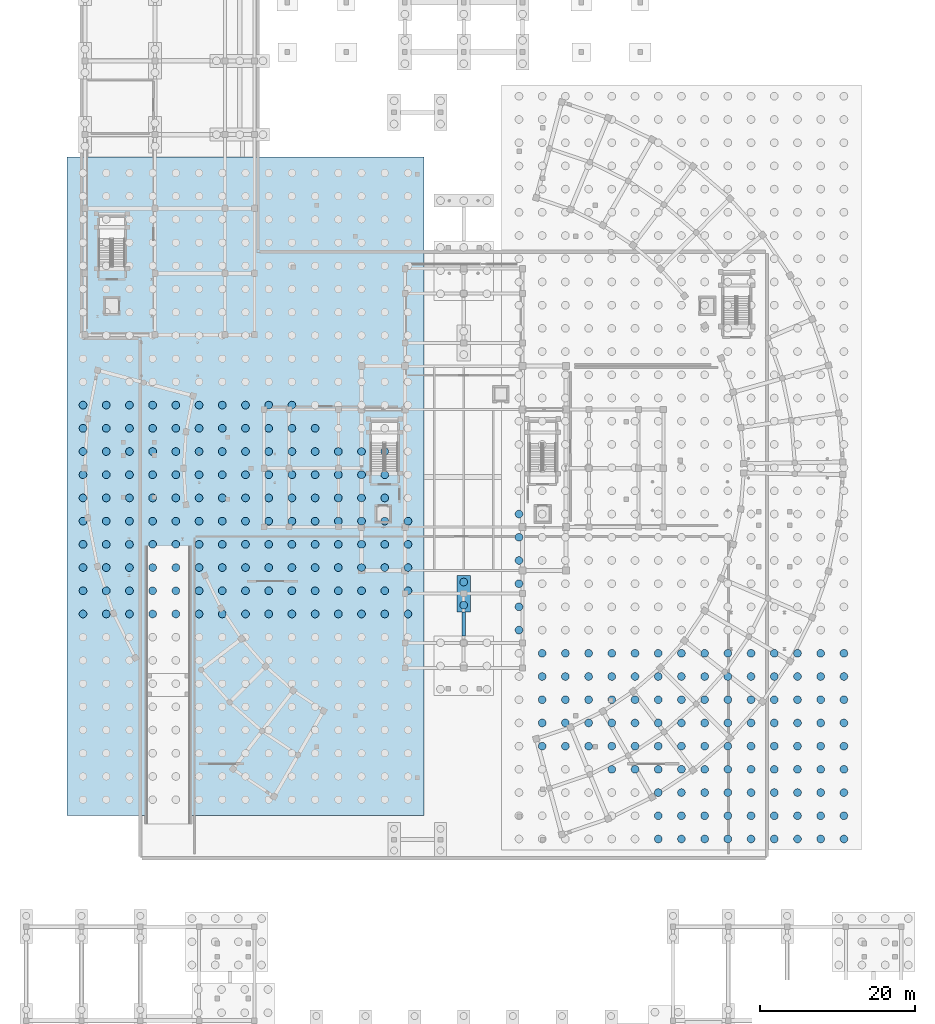
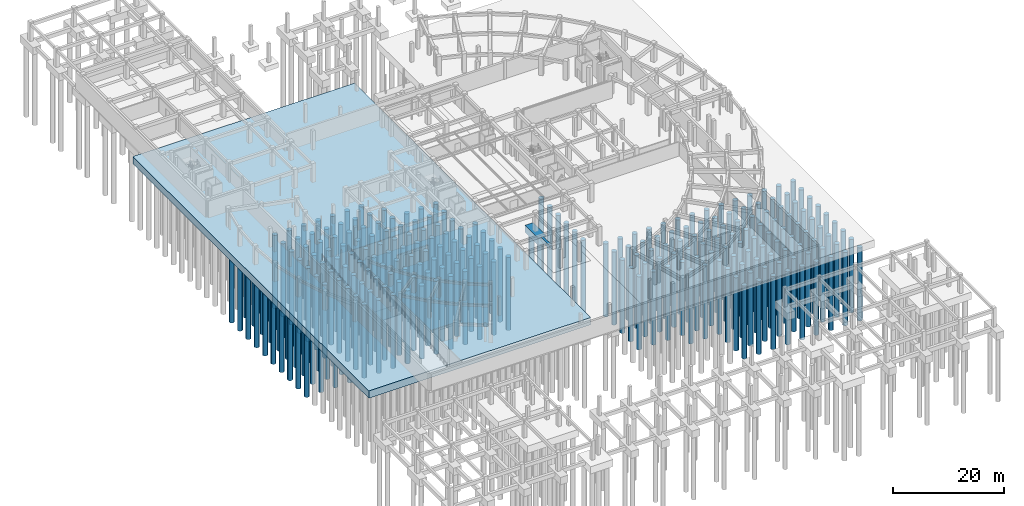
# One storey, part 3 of 33: 254 piles, 3 footings.
"""IFC4 building model written with IfcOpenShell, lengths in metres."""

from ifc_helpers import new_model, si_unit, direction, frame, origin, origin_2d, place, context, subcontext, project, spatial, rectangle, circle, extrude, material, material_profile, profile_set, type_object, element, save


model = new_model("IFC4")

# Units and contexts
model_context = context("Model", 3, precision=1e-05, world=origin(), true_north=direction((0.0, 1.0)))
body_context = subcontext(model_context, "Body", "Model", "MODEL_VIEW")
ifc_project = project(units=[si_unit("LENGTHUNIT", "METRE"), si_unit("AREAUNIT", "SQUARE_METRE"), si_unit("VOLUMEUNIT", "CUBIC_METRE"), si_unit("PLANEANGLEUNIT", "RADIAN"), si_unit("MASSUNIT", "GRAM", prefix="KILO")], contexts=[model_context])

# Site, building, storey
site_placement = place(None, origin())
site = spatial("IfcSite", under=ifc_project, at=site_placement, CompositionType="ELEMENT")
building_placement = place(site_placement, origin())
building = spatial("IfcBuilding", under=site, at=building_placement, Name="Saryqyr Civic Hall", CompositionType="ELEMENT")
storey_placement = place(building_placement, frame((0.0, 0.0, -4.199951171875)))
storey = spatial("IfcBuildingStorey", under=building, at=storey_placement, Name="B1", CompositionType="ELEMENT", Elevation=-4.199951171875)

# Footings
ifc_material = material(Name="Concrete C35/45", Category="concrete")
footing_type_1 = type_object("IfcFootingType", Name="STR-FB-500x800", PredefinedType="FOOTING_BEAM", material=ifc_material)
footing_1_placement = place(storey_placement, frame((57.0, 63.875, -0.80029296875), z_axis=(0.0, 0.0, 1.0), x_axis=(1.0, 0.0, 0.0)))
element("IfcFooting", 1, at=footing_1_placement, inside=storey, type_object=footing_type_1, Name="Ground tie beam FND-FB-057", PredefinedType="FOOTING_BEAM", context=body_context, shape_type="SweptSolid", body=[
    extrude(rectangle(XDim=0.5, YDim=3.14990234375, at=origin_2d()), origin(), (0.0, 0.0, 1.0), 0.800048828125),
])
footing_type_2 = type_object("IfcFootingType", Name="STR-PCAP-1700x4700x1600", PredefinedType="PILE_CAP", material=ifc_material)
footing_2_placement = place(storey_placement, frame((57.0, 67.800048828125, -1.60009765625), z_axis=(0.0, 0.0, 1.0), x_axis=(1.0, 0.0, 0.0)))
element("IfcFooting", 2, at=footing_2_placement, inside=storey, type_object=footing_type_2, Name="Reinforced concrete pile cap FND-PCAP-046", PredefinedType="PILE_CAP", context=body_context, shape_type="SweptSolid", body=[
    extrude(rectangle(XDim=1.699951171875, YDim=4.699951171875, at=origin_2d()), origin(), (0.0, 0.0, 1.0), 1.60009765625),
])
footing_type_3 = type_object("IfcFootingType", Name="STR-PCAP-46200x85100x1600", PredefinedType="PILE_CAP", material=ifc_material)
footing_3_placement = place(storey_placement, frame((28.7939453125, 81.6669921875, -1.60009765625), z_axis=(0.0, 0.0, 1.0), x_axis=(1.0, 0.0, 0.0)))
element("IfcFooting", 3, at=footing_3_placement, inside=storey, type_object=footing_type_3, Name="Reinforced concrete pile cap FND-PCAP-044", PredefinedType="PILE_CAP", context=body_context, shape_type="SweptSolid", body=[
    extrude(rectangle(XDim=46.199951171875, YDim=85.10009765625, at=origin_2d()), origin(), (0.0, 0.0, 1.0), 1.60009765625),
])

# Piles
ifc_material_profile = material_profile(ifc_material, circle(Radius=0.5, at=origin_2d()), Name="BORED PILE D1000")
ifc_profile_set = profile_set([ifc_material_profile], Name="Concrete C35/45")
pile_type = type_object("IfcPileType", Name="STR-PILE-D1000", PredefinedType="BORED", material=ifc_profile_set)
for number, where, z_axis, x_axis, name in (
    (4, (64.14404296875, 63.0849609375, -1.5), (0.0, 0.0, -1.0), (1.0, 0.0, 0.0), "Bored pile FND-PCAP-043-P10"),
    (5, (64.14404296875, 66.0849609375, -1.5), (0.0, 0.0, -1.0), (1.0, 0.0, 0.0), "Bored pile FND-PCAP-043-P11"),
    (6, (64.14404296875, 69.0849609375, -1.5), (0.0, 0.0, -1.0), (1.0, 0.0, 0.0), "Bored pile FND-PCAP-043-P12"),
    (7, (64.14404296875, 72.0849609375, -1.5), (0.0, 0.0, -1.0), (1.0, 0.0, 0.0), "Bored pile FND-PCAP-043-P13"),
    (8, (64.14404296875, 75.0849609375, -1.5), (0.0, 0.0, -1.0), (1.0, 0.0, 0.0), "Bored pile FND-PCAP-043-P14"),
    (9, (64.14404296875, 78.0849609375, -1.5), (0.0, 0.0, -1.0), (1.0, 0.0, 0.0), "Bored pile FND-PCAP-043-P15"),
    (10, (67.14404296875, 48.0849609375, -1.5), (0.0, 0.0, -1.0), (1.0, 0.0, 0.0), "Bored pile FND-PCAP-043-P38"),
    (11, (67.14404296875, 51.0849609375, -1.5), (0.0, 0.0, -1.0), (1.0, 0.0, 0.0), "Bored pile FND-PCAP-043-P39"),
    (12, (67.14404296875, 54.0849609375, -1.5), (0.0, 0.0, -1.0), (1.0, 0.0, 0.0), "Bored pile FND-PCAP-043-P40"),
    (13, (67.14404296875, 57.0849609375, -1.5), (0.0, 0.0, -1.0), (1.0, 0.0, 0.0), "Bored pile FND-PCAP-043-P41"),
    (14, (67.14404296875, 60.0849609375, -1.5), (0.0, 0.0, -1.0), (1.0, 0.0, 0.0), "Bored pile FND-PCAP-043-P42"),
    (15, (70.14404296875, 48.0849609375, -1.5), (0.0, 0.0, -1.0), (1.0, 0.0, 0.0), "Bored pile FND-PCAP-043-P71"),
    (16, (70.14404296875, 51.0849609375, -1.5), (0.0, 0.0, -1.0), (1.0, 0.0, 0.0), "Bored pile FND-PCAP-043-P72"),
    (17, (70.14404296875, 54.0849609375, -1.5), (0.0, 0.0, -1.0), (1.0, 0.0, 0.0), "Bored pile FND-PCAP-043-P73"),
    (18, (70.14404296875, 57.0849609375, -1.5), (0.0, 0.0, -1.0), (1.0, 0.0, 0.0), "Bored pile FND-PCAP-043-P74"),
    (19, (70.14404296875, 60.0849609375, -1.5), (0.0, 0.0, -1.0), (1.0, 0.0, 0.0), "Bored pile FND-PCAP-043-P75"),
    (20, (73.14404296875, 48.0849609375, -1.5), (0.0, 0.0, -1.0), (1.0, 0.0, 0.0), "Bored pile FND-PCAP-043-P104"),
    (21, (73.14404296875, 51.0849609375, -1.5), (0.0, 0.0, -1.0), (1.0, 0.0, 0.0), "Bored pile FND-PCAP-043-P105"),
    (22, (73.14404296875, 54.0849609375, -1.5), (0.0, 0.0, -1.0), (1.0, 0.0, 0.0), "Bored pile FND-PCAP-043-P106"),
    (23, (73.14404296875, 57.0849609375, -1.5), (0.0, 0.0, -1.0), (1.0, 0.0, 0.0), "Bored pile FND-PCAP-043-P107"),
    (24, (73.14404296875, 60.0849609375, -1.5), (0.0, 0.0, -1.0), (1.0, 0.0, 0.0), "Bored pile FND-PCAP-043-P108"),
    (25, (76.14404296875, 45.0849609375, -1.5), (0.0, 0.0, -1.0), (1.0, 0.0, 0.0), "Bored pile FND-PCAP-043-P136"),
    (26, (76.14404296875, 48.0849609375, -1.5), (0.0, 0.0, -1.0), (1.0, 0.0, 0.0), "Bored pile FND-PCAP-043-P137"),
    (27, (76.14404296875, 51.0849609375, -1.5), (0.0, 0.0, -1.0), (1.0, 0.0, 0.0), "Bored pile FND-PCAP-043-P138"),
    (28, (76.14404296875, 54.0849609375, -1.5), (0.0, 0.0, -1.0), (1.0, 0.0, 0.0), "Bored pile FND-PCAP-043-P139"),
    (29, (76.14404296875, 57.0849609375, -1.5), (0.0, 0.0, -1.0), (1.0, 0.0, 0.0), "Bored pile FND-PCAP-043-P140"),
    (30, (76.14404296875, 60.0849609375, -1.5), (0.0, 0.0, -1.0), (1.0, 0.0, 0.0), "Bored pile FND-PCAP-043-P141"),
    (31, (79.14404296875, 45.0849609375, -1.5), (0.0, 0.0, -1.0), (1.0, 0.0, 0.0), "Bored pile FND-PCAP-043-P169"),
    (32, (79.14404296875, 48.0849609375, -1.5), (0.0, 0.0, -1.0), (1.0, 0.0, 0.0), "Bored pile FND-PCAP-043-P170"),
    (33, (79.14404296875, 51.0849609375, -1.5), (0.0, 0.0, -1.0), (1.0, 0.0, 0.0), "Bored pile FND-PCAP-043-P171"),
    (34, (79.14404296875, 54.0849609375, -1.5), (0.0, 0.0, -1.0), (1.0, 0.0, 0.0), "Bored pile FND-PCAP-043-P172"),
    (35, (79.14404296875, 57.0849609375, -1.5), (0.0, 0.0, -1.0), (1.0, 0.0, 0.0), "Bored pile FND-PCAP-043-P173"),
    (36, (79.14404296875, 60.0849609375, -1.5), (0.0, 0.0, -1.0), (1.0, 0.0, 0.0), "Bored pile FND-PCAP-043-P174"),
    (37, (82.14404296875, 36.0849609375, -1.5), (0.0, 0.0, -1.0), (1.0, 0.0, 0.0), "Bored pile FND-PCAP-043-P199"),
    (38, (82.14404296875, 39.0849609375, -1.5), (0.0, 0.0, -1.0), (1.0, 0.0, 0.0), "Bored pile FND-PCAP-043-P200"),
    (39, (82.14404296875, 42.0849609375, -1.5), (0.0, 0.0, -1.0), (1.0, 0.0, 0.0), "Bored pile FND-PCAP-043-P201"),
    (40, (82.14404296875, 45.0849609375, -1.5), (0.0, 0.0, -1.0), (1.0, 0.0, 0.0), "Bored pile FND-PCAP-043-P202"),
    (41, (82.14404296875, 48.0849609375, -1.5), (0.0, 0.0, -1.0), (1.0, 0.0, 0.0), "Bored pile FND-PCAP-043-P203"),
    (42, (82.14404296875, 51.0849609375, -1.5), (0.0, 0.0, -1.0), (1.0, 0.0, 0.0), "Bored pile FND-PCAP-043-P204"),
    (43, (82.14404296875, 54.0849609375, -1.5), (0.0, 0.0, -1.0), (1.0, 0.0, 0.0), "Bored pile FND-PCAP-043-P205"),
    (44, (82.14404296875, 57.0849609375, -1.5), (0.0, 0.0, -1.0), (1.0, 0.0, 0.0), "Bored pile FND-PCAP-043-P206"),
    (45, (82.14404296875, 60.0849609375, -1.5), (0.0, 0.0, -1.0), (1.0, 0.0, 0.0), "Bored pile FND-PCAP-043-P207"),
    (46, (85.14404296875, 36.0849609375, -1.5), (0.0, 0.0, -1.0), (1.0, 0.0, 0.0), "Bored pile FND-PCAP-043-P232"),
    (47, (85.14404296875, 39.0849609375, -1.5), (0.0, 0.0, -1.0), (1.0, 0.0, 0.0), "Bored pile FND-PCAP-043-P233"),
    (48, (85.14404296875, 42.0849609375, -1.5), (0.0, 0.0, -1.0), (1.0, 0.0, 0.0), "Bored pile FND-PCAP-043-P234"),
    (49, (85.14404296875, 45.0849609375, -1.5), (0.0, 0.0, -1.0), (1.0, 0.0, 0.0), "Bored pile FND-PCAP-043-P235"),
    (50, (85.14404296875, 48.0849609375, -1.5), (0.0, 0.0, -1.0), (1.0, 0.0, 0.0), "Bored pile FND-PCAP-043-P236"),
    (51, (85.14404296875, 51.0849609375, -1.5), (0.0, 0.0, -1.0), (1.0, 0.0, 0.0), "Bored pile FND-PCAP-043-P237"),
    (52, (85.14404296875, 54.0849609375, -1.5), (0.0, 0.0, -1.0), (1.0, 0.0, 0.0), "Bored pile FND-PCAP-043-P238"),
    (53, (85.14404296875, 57.0849609375, -1.5), (0.0, 0.0, -1.0), (1.0, 0.0, 0.0), "Bored pile FND-PCAP-043-P239"),
    (54, (85.14404296875, 60.0849609375, -1.5), (0.0, 0.0, -1.0), (1.0, 0.0, 0.0), "Bored pile FND-PCAP-043-P240"),
    (55, (88.14404296875, 36.0849609375, -1.5), (0.0, 0.0, -1.0), (1.0, 0.0, 0.0), "Bored pile FND-PCAP-043-P265"),
    (56, (88.14404296875, 39.0849609375, -1.5), (0.0, 0.0, -1.0), (1.0, 0.0, 0.0), "Bored pile FND-PCAP-043-P266"),
    (57, (88.14404296875, 42.0849609375, -1.5), (0.0, 0.0, -1.0), (1.0, 0.0, 0.0), "Bored pile FND-PCAP-043-P267"),
    (58, (88.14404296875, 45.0849609375, -1.5), (0.0, 0.0, -1.0), (1.0, 0.0, 0.0), "Bored pile FND-PCAP-043-P268"),
    (59, (88.14404296875, 48.0849609375, -1.5), (0.0, 0.0, -1.0), (1.0, 0.0, 0.0), "Bored pile FND-PCAP-043-P269"),
    (60, (88.14404296875, 51.0849609375, -1.5), (0.0, 0.0, -1.0), (1.0, 0.0, 0.0), "Bored pile FND-PCAP-043-P270"),
    (61, (88.14404296875, 54.0849609375, -1.5), (0.0, 0.0, -1.0), (1.0, 0.0, 0.0), "Bored pile FND-PCAP-043-P271"),
    (62, (88.14404296875, 57.0849609375, -1.5), (0.0, 0.0, -1.0), (1.0, 0.0, 0.0), "Bored pile FND-PCAP-043-P272"),
    (63, (88.14404296875, 60.0849609375, -1.5), (0.0, 0.0, -1.0), (1.0, 0.0, 0.0), "Bored pile FND-PCAP-043-P273"),
    (64, (91.14404296875, 36.0849609375, -1.5), (0.0, 0.0, -1.0), (1.0, 0.0, 0.0), "Bored pile FND-PCAP-043-P298"),
    (65, (91.14404296875, 39.0849609375, -1.5), (0.0, 0.0, -1.0), (1.0, 0.0, 0.0), "Bored pile FND-PCAP-043-P299"),
    (66, (91.14404296875, 42.0849609375, -1.5), (0.0, 0.0, -1.0), (1.0, 0.0, 0.0), "Bored pile FND-PCAP-043-P300"),
    (67, (91.14404296875, 45.0849609375, -1.5), (0.0, 0.0, -1.0), (1.0, 0.0, 0.0), "Bored pile FND-PCAP-043-P301"),
    (68, (91.14404296875, 48.0849609375, -1.5), (0.0, 0.0, -1.0), (1.0, 0.0, 0.0), "Bored pile FND-PCAP-043-P302"),
    (69, (91.14404296875, 51.0849609375, -1.5), (0.0, 0.0, -1.0), (1.0, 0.0, 0.0), "Bored pile FND-PCAP-043-P303"),
    (70, (91.14404296875, 54.0849609375, -1.5), (0.0, 0.0, -1.0), (1.0, 0.0, 0.0), "Bored pile FND-PCAP-043-P304"),
    (71, (91.14404296875, 57.0849609375, -1.5), (0.0, 0.0, -1.0), (1.0, 0.0, 0.0), "Bored pile FND-PCAP-043-P305"),
    (72, (91.14404296875, 60.0849609375, -1.5), (0.0, 0.0, -1.0), (1.0, 0.0, 0.0), "Bored pile FND-PCAP-043-P306"),
    (73, (94.14404296875, 36.0849609375, -1.5), (0.0, 0.0, -1.0), (1.0, 0.0, 0.0), "Bored pile FND-PCAP-043-P331"),
    (74, (94.14404296875, 39.0849609375, -1.5), (0.0, 0.0, -1.0), (1.0, 0.0, 0.0), "Bored pile FND-PCAP-043-P332"),
    (75, (94.14404296875, 42.0849609375, -1.5), (0.0, 0.0, -1.0), (1.0, 0.0, 0.0), "Bored pile FND-PCAP-043-P333"),
    (76, (94.14404296875, 45.0849609375, -1.5), (0.0, 0.0, -1.0), (1.0, 0.0, 0.0), "Bored pile FND-PCAP-043-P334"),
    (77, (94.14404296875, 48.0849609375, -1.5), (0.0, 0.0, -1.0), (1.0, 0.0, 0.0), "Bored pile FND-PCAP-043-P335"),
    (78, (94.14404296875, 51.0849609375, -1.5), (0.0, 0.0, -1.0), (1.0, 0.0, 0.0), "Bored pile FND-PCAP-043-P336"),
    (79, (94.14404296875, 54.0849609375, -1.5), (0.0, 0.0, -1.0), (1.0, 0.0, 0.0), "Bored pile FND-PCAP-043-P337"),
    (80, (94.14404296875, 57.0849609375, -1.5), (0.0, 0.0, -1.0), (1.0, 0.0, 0.0), "Bored pile FND-PCAP-043-P338"),
    (81, (94.14404296875, 60.0849609375, -1.5), (0.0, 0.0, -1.0), (1.0, 0.0, 0.0), "Bored pile FND-PCAP-043-P339"),
    (82, (97.14404296875, 36.0849609375, -1.5), (0.0, 0.0, -1.0), (1.0, 0.0, 0.0), "Bored pile FND-PCAP-043-P364"),
    (83, (97.14404296875, 39.0849609375, -1.5), (0.0, 0.0, -1.0), (1.0, 0.0, 0.0), "Bored pile FND-PCAP-043-P365"),
    (84, (97.14404296875, 42.0849609375, -1.5), (0.0, 0.0, -1.0), (1.0, 0.0, 0.0), "Bored pile FND-PCAP-043-P366"),
    (85, (97.14404296875, 45.0849609375, -1.5), (0.0, 0.0, -1.0), (1.0, 0.0, 0.0), "Bored pile FND-PCAP-043-P367"),
    (86, (97.14404296875, 48.0849609375, -1.5), (0.0, 0.0, -1.0), (1.0, 0.0, 0.0), "Bored pile FND-PCAP-043-P368"),
    (87, (97.14404296875, 51.0849609375, -1.5), (0.0, 0.0, -1.0), (1.0, 0.0, 0.0), "Bored pile FND-PCAP-043-P369"),
    (88, (97.14404296875, 54.0849609375, -1.5), (0.0, 0.0, -1.0), (1.0, 0.0, 0.0), "Bored pile FND-PCAP-043-P370"),
    (89, (97.14404296875, 57.0849609375, -1.5), (0.0, 0.0, -1.0), (1.0, 0.0, 0.0), "Bored pile FND-PCAP-043-P371"),
    (90, (97.14404296875, 60.0849609375, -1.5), (0.0, 0.0, -1.0), (1.0, 0.0, 0.0), "Bored pile FND-PCAP-043-P372"),
    (91, (100.14404296875, 36.0849609375, -1.5), (0.0, 0.0, -1.0), (1.0, 0.0, 0.0), "Bored pile FND-PCAP-043-P397"),
    (92, (100.14404296875, 39.0849609375, -1.5), (0.0, 0.0, -1.0), (1.0, 0.0, 0.0), "Bored pile FND-PCAP-043-P398"),
    (93, (100.14404296875, 42.0849609375, -1.5), (0.0, 0.0, -1.0), (1.0, 0.0, 0.0), "Bored pile FND-PCAP-043-P399"),
    (94, (100.14404296875, 45.0849609375, -1.5), (0.0, 0.0, -1.0), (1.0, 0.0, 0.0), "Bored pile FND-PCAP-043-P400"),
    (95, (100.14404296875, 48.0849609375, -1.5), (0.0, 0.0, -1.0), (1.0, 0.0, 0.0), "Bored pile FND-PCAP-043-P401"),
    (96, (100.14404296875, 51.0849609375, -1.5), (0.0, 0.0, -1.0), (1.0, 0.0, 0.0), "Bored pile FND-PCAP-043-P402"),
    (97, (100.14404296875, 54.0849609375, -1.5), (0.0, 0.0, -1.0), (1.0, 0.0, 0.0), "Bored pile FND-PCAP-043-P403"),
    (98, (100.14404296875, 57.0849609375, -1.5), (0.0, 0.0, -1.0), (1.0, 0.0, 0.0), "Bored pile FND-PCAP-043-P404"),
    (99, (100.14404296875, 60.0849609375, -1.5), (0.0, 0.0, -1.0), (1.0, 0.0, 0.0), "Bored pile FND-PCAP-043-P405"),
    (100, (103.14404296875, 36.0849609375, -1.5), (0.0, 0.0, -1.0), (1.0, 0.0, 0.0), "Bored pile FND-PCAP-043-P430"),
    (101, (103.14404296875, 39.0849609375, -1.5), (0.0, 0.0, -1.0), (1.0, 0.0, 0.0), "Bored pile FND-PCAP-043-P431"),
    (102, (103.14404296875, 42.0849609375, -1.5), (0.0, 0.0, -1.0), (1.0, 0.0, 0.0), "Bored pile FND-PCAP-043-P432"),
    (103, (103.14404296875, 45.0849609375, -1.5), (0.0, 0.0, -1.0), (1.0, 0.0, 0.0), "Bored pile FND-PCAP-043-P433"),
    (104, (103.14404296875, 48.0849609375, -1.5), (0.0, 0.0, -1.0), (1.0, 0.0, 0.0), "Bored pile FND-PCAP-043-P434"),
    (105, (103.14404296875, 51.0849609375, -1.5), (0.0, 0.0, -1.0), (1.0, 0.0, 0.0), "Bored pile FND-PCAP-043-P435"),
    (106, (103.14404296875, 54.0849609375, -1.5), (0.0, 0.0, -1.0), (1.0, 0.0, 0.0), "Bored pile FND-PCAP-043-P436"),
    (107, (103.14404296875, 57.0849609375, -1.5), (0.0, 0.0, -1.0), (1.0, 0.0, 0.0), "Bored pile FND-PCAP-043-P437"),
    (108, (103.14404296875, 60.0849609375, -1.5), (0.0, 0.0, -1.0), (1.0, 0.0, 0.0), "Bored pile FND-PCAP-043-P438"),
    (109, (106.14404296875, 36.0849609375, -1.5), (0.0, 0.0, -1.0), (1.0, 0.0, 0.0), "Bored pile FND-PCAP-043-P463"),
    (110, (106.14404296875, 39.0849609375, -1.5), (0.0, 0.0, -1.0), (1.0, 0.0, 0.0), "Bored pile FND-PCAP-043-P464"),
    (111, (106.14404296875, 42.0849609375, -1.5), (0.0, 0.0, -1.0), (1.0, 0.0, 0.0), "Bored pile FND-PCAP-043-P465"),
    (112, (106.14404296875, 45.0849609375, -1.5), (0.0, 0.0, -1.0), (1.0, 0.0, 0.0), "Bored pile FND-PCAP-043-P466"),
    (113, (106.14404296875, 48.0849609375, -1.5), (0.0, 0.0, -1.0), (1.0, 0.0, 0.0), "Bored pile FND-PCAP-043-P467"),
    (114, (106.14404296875, 51.0849609375, -1.5), (0.0, 0.0, -1.0), (1.0, 0.0, 0.0), "Bored pile FND-PCAP-043-P468"),
    (115, (106.14404296875, 54.0849609375, -1.5), (0.0, 0.0, -1.0), (1.0, 0.0, 0.0), "Bored pile FND-PCAP-043-P469"),
    (116, (106.14404296875, 57.0849609375, -1.5), (0.0, 0.0, -1.0), (1.0, 0.0, 0.0), "Bored pile FND-PCAP-043-P470"),
    (117, (106.14404296875, 60.0849609375, -1.5), (0.0, 0.0, -1.0), (1.0, 0.0, 0.0), "Bored pile FND-PCAP-043-P471"),
    (118, (7.7939453125, 65.1669921875, -1.5), (0.0, 0.0, -1.0), (1.0, 0.0, 0.0), "Bored pile FND-PCAP-044-P09"),
    (119, (7.7939453125, 68.1669921875, -1.5), (0.0, 0.0, -1.0), (1.0, 0.0, 0.0), "Bored pile FND-PCAP-044-P10"),
    (120, (7.7939453125, 71.1669921875, -1.5), (0.0, 0.0, -1.0), (1.0, 0.0, 0.0), "Bored pile FND-PCAP-044-P11"),
    (121, (7.7939453125, 74.1669921875, -1.5), (0.0, 0.0, -1.0), (1.0, 0.0, 0.0), "Bored pile FND-PCAP-044-P12"),
    (122, (7.7939453125, 77.1669921875, -1.5), (0.0, 0.0, -1.0), (1.0, 0.0, 0.0), "Bored pile FND-PCAP-044-P13"),
    (123, (7.7939453125, 80.1669921875, -1.5), (0.0, 0.0, -1.0), (1.0, 0.0, 0.0), "Bored pile FND-PCAP-044-P14"),
    (124, (7.7939453125, 83.1669921875, -1.5), (0.0, 0.0, -1.0), (1.0, 0.0, 0.0), "Bored pile FND-PCAP-044-P15"),
    (125, (7.7939453125, 86.1669921875, -1.5), (0.0, 0.0, -1.0), (1.0, 0.0, 0.0), "Bored pile FND-PCAP-044-P16"),
    (126, (7.7939453125, 89.1669921875, -1.5), (0.0, 0.0, -1.0), (1.0, 0.0, 0.0), "Bored pile FND-PCAP-044-P17"),
    (127, (7.7939453125, 92.1669921875, -1.5), (0.0, 0.0, -1.0), (1.0, 0.0, 0.0), "Bored pile FND-PCAP-044-P18"),
    (128, (10.7939453125, 65.1669921875, -1.5), (0.0, 0.0, -1.0), (1.0, 0.0, 0.0), "Bored pile FND-PCAP-044-P37"),
    (129, (10.7939453125, 68.1669921875, -1.5), (0.0, 0.0, -1.0), (1.0, 0.0, 0.0), "Bored pile FND-PCAP-044-P38"),
    (130, (10.7939453125, 71.1669921875, -1.5), (0.0, 0.0, -1.0), (1.0, 0.0, 0.0), "Bored pile FND-PCAP-044-P39"),
    (131, (10.7939453125, 74.1669921875, -1.5), (0.0, 0.0, -1.0), (1.0, 0.0, 0.0), "Bored pile FND-PCAP-044-P40"),
    (132, (10.7939453125, 77.1669921875, -1.5), (0.0, 0.0, -1.0), (1.0, 0.0, 0.0), "Bored pile FND-PCAP-044-P41"),
    (133, (10.7939453125, 80.1669921875, -1.5), (0.0, 0.0, -1.0), (1.0, 0.0, 0.0), "Bored pile FND-PCAP-044-P42"),
    (134, (10.7939453125, 83.1669921875, -1.5), (0.0, 0.0, -1.0), (1.0, 0.0, 0.0), "Bored pile FND-PCAP-044-P43"),
    (135, (10.7939453125, 86.1669921875, -1.5), (0.0, 0.0, -1.0), (1.0, 0.0, 0.0), "Bored pile FND-PCAP-044-P44"),
    (136, (10.7939453125, 89.1669921875, -1.5), (0.0, 0.0, -1.0), (1.0, 0.0, 0.0), "Bored pile FND-PCAP-044-P45"),
    (137, (10.7939453125, 92.1669921875, -1.5), (0.0, 0.0, -1.0), (1.0, 0.0, 0.0), "Bored pile FND-PCAP-044-P46"),
    (138, (13.7939453125, 65.1669921875, -1.5), (0.0, 0.0, -1.0), (1.0, 0.0, 0.0), "Bored pile FND-PCAP-044-P65"),
    (139, (13.7939453125, 68.1669921875, -1.5), (0.0, 0.0, -1.0), (1.0, 0.0, 0.0), "Bored pile FND-PCAP-044-P66"),
    (140, (13.7939453125, 71.1669921875, -1.5), (0.0, 0.0, -1.0), (1.0, 0.0, 0.0), "Bored pile FND-PCAP-044-P67"),
    (141, (13.7939453125, 74.1669921875, -1.5), (0.0, 0.0, -1.0), (1.0, 0.0, 0.0), "Bored pile FND-PCAP-044-P68"),
    (142, (13.7939453125, 77.1669921875, -1.5), (0.0, 0.0, -1.0), (1.0, 0.0, 0.0), "Bored pile FND-PCAP-044-P69"),
    (143, (13.7939453125, 80.1669921875, -1.5), (0.0, 0.0, -1.0), (1.0, 0.0, 0.0), "Bored pile FND-PCAP-044-P70"),
    (144, (13.7939453125, 83.1669921875, -1.5), (0.0, 0.0, -1.0), (1.0, 0.0, 0.0), "Bored pile FND-PCAP-044-P71"),
    (145, (13.7939453125, 86.1669921875, -1.5), (0.0, 0.0, -1.0), (1.0, 0.0, 0.0), "Bored pile FND-PCAP-044-P72"),
    (146, (13.7939453125, 89.1669921875, -1.5), (0.0, 0.0, -1.0), (1.0, 0.0, 0.0), "Bored pile FND-PCAP-044-P73"),
    (147, (13.7939453125, 92.1669921875, -1.5), (0.0, 0.0, -1.0), (1.0, 0.0, 0.0), "Bored pile FND-PCAP-044-P74"),
    (148, (16.7939453125, 65.1669921875, -1.5), (0.0, 0.0, -1.0), (1.0, 0.0, 0.0), "Bored pile FND-PCAP-044-P93"),
    (149, (16.7939453125, 68.1669921875, -1.5), (0.0, 0.0, -1.0), (1.0, 0.0, 0.0), "Bored pile FND-PCAP-044-P94"),
    (150, (16.7939453125, 71.1669921875, -1.5), (0.0, 0.0, -1.0), (1.0, 0.0, 0.0), "Bored pile FND-PCAP-044-P95"),
    (151, (16.7939453125, 74.1669921875, -1.5), (0.0, 0.0, -1.0), (1.0, 0.0, 0.0), "Bored pile FND-PCAP-044-P96"),
    (152, (16.7939453125, 77.1669921875, -1.5), (0.0, 0.0, -1.0), (1.0, 0.0, 0.0), "Bored pile FND-PCAP-044-P97"),
    (153, (16.7939453125, 80.1669921875, -1.5), (0.0, 0.0, -1.0), (1.0, 0.0, 0.0), "Bored pile FND-PCAP-044-P98"),
    (154, (16.7939453125, 83.1669921875, -1.5), (0.0, 0.0, -1.0), (1.0, 0.0, 0.0), "Bored pile FND-PCAP-044-P99"),
    (155, (16.7939453125, 86.1669921875, -1.5), (0.0, 0.0, -1.0), (1.0, 0.0, 0.0), "Bored pile FND-PCAP-044-P100"),
    (156, (16.7939453125, 89.1669921875, -1.5), (0.0, 0.0, -1.0), (1.0, 0.0, 0.0), "Bored pile FND-PCAP-044-P101"),
    (157, (16.7939453125, 92.1669921875, -1.5), (0.0, 0.0, -1.0), (1.0, 0.0, 0.0), "Bored pile FND-PCAP-044-P102"),
    (158, (19.7939453125, 65.1669921875, -1.5), (0.0, 0.0, -1.0), (1.0, 0.0, 0.0), "Bored pile FND-PCAP-044-P121"),
    (159, (19.7939453125, 68.1669921875, -1.5), (0.0, 0.0, -1.0), (1.0, 0.0, 0.0), "Bored pile FND-PCAP-044-P122"),
    (160, (19.7939453125, 71.1669921875, -1.5), (0.0, 0.0, -1.0), (1.0, 0.0, 0.0), "Bored pile FND-PCAP-044-P123"),
    (161, (19.7939453125, 74.1669921875, -1.5), (0.0, 0.0, -1.0), (1.0, 0.0, 0.0), "Bored pile FND-PCAP-044-P124"),
    (162, (19.7939453125, 77.1669921875, -1.5), (0.0, 0.0, -1.0), (1.0, 0.0, 0.0), "Bored pile FND-PCAP-044-P125"),
    (163, (19.7939453125, 80.1669921875, -1.5), (0.0, 0.0, -1.0), (1.0, 0.0, 0.0), "Bored pile FND-PCAP-044-P126"),
    (164, (19.7939453125, 83.1669921875, -1.5), (0.0, 0.0, -1.0), (1.0, 0.0, 0.0), "Bored pile FND-PCAP-044-P127"),
    (165, (19.7939453125, 86.1669921875, -1.5), (0.0, 0.0, -1.0), (1.0, 0.0, 0.0), "Bored pile FND-PCAP-044-P128"),
    (166, (19.7939453125, 89.1669921875, -1.5), (0.0, 0.0, -1.0), (1.0, 0.0, 0.0), "Bored pile FND-PCAP-044-P129"),
    (167, (19.7939453125, 92.1669921875, -1.5), (0.0, 0.0, -1.0), (1.0, 0.0, 0.0), "Bored pile FND-PCAP-044-P130"),
    (168, (22.7939453125, 65.1669921875, -1.5), (0.0, 0.0, -1.0), (1.0, 0.0, 0.0), "Bored pile FND-PCAP-044-P149"),
    (169, (22.7939453125, 68.1669921875, -1.5), (0.0, 0.0, -1.0), (1.0, 0.0, 0.0), "Bored pile FND-PCAP-044-P150"),
    (170, (22.7939453125, 71.1669921875, -1.5), (0.0, 0.0, -1.0), (1.0, 0.0, 0.0), "Bored pile FND-PCAP-044-P151"),
    (171, (22.7939453125, 74.1669921875, -1.5), (0.0, 0.0, -1.0), (1.0, 0.0, 0.0), "Bored pile FND-PCAP-044-P152"),
    (172, (22.7939453125, 77.1669921875, -1.5), (0.0, 0.0, -1.0), (1.0, 0.0, 0.0), "Bored pile FND-PCAP-044-P153"),
    (173, (22.7939453125, 80.1669921875, -1.5), (0.0, 0.0, -1.0), (1.0, 0.0, 0.0), "Bored pile FND-PCAP-044-P154"),
    (174, (22.7939453125, 83.1669921875, -1.5), (0.0, 0.0, -1.0), (1.0, 0.0, 0.0), "Bored pile FND-PCAP-044-P155"),
    (175, (22.7939453125, 86.1669921875, -1.5), (0.0, 0.0, -1.0), (1.0, 0.0, 0.0), "Bored pile FND-PCAP-044-P156"),
    (176, (22.7939453125, 89.1669921875, -1.5), (0.0, 0.0, -1.0), (1.0, 0.0, 0.0), "Bored pile FND-PCAP-044-P157"),
    (177, (22.7939453125, 92.1669921875, -1.5), (0.0, 0.0, -1.0), (1.0, 0.0, 0.0), "Bored pile FND-PCAP-044-P158"),
    (178, (25.7939453125, 65.1669921875, -1.5), (0.0, 0.0, -1.0), (1.0, 0.0, 0.0), "Bored pile FND-PCAP-044-P177"),
    (179, (25.7939453125, 68.1669921875, -1.5), (0.0, 0.0, -1.0), (1.0, 0.0, 0.0), "Bored pile FND-PCAP-044-P178"),
    (180, (25.7939453125, 71.1669921875, -1.5), (0.0, 0.0, -1.0), (1.0, 0.0, 0.0), "Bored pile FND-PCAP-044-P179"),
    (181, (25.7939453125, 74.1669921875, -1.5), (0.0, 0.0, -1.0), (1.0, 0.0, 0.0), "Bored pile FND-PCAP-044-P180"),
    (182, (25.7939453125, 77.1669921875, -1.5), (0.0, 0.0, -1.0), (1.0, 0.0, 0.0), "Bored pile FND-PCAP-044-P181"),
    (183, (25.7939453125, 80.1669921875, -1.5), (0.0, 0.0, -1.0), (1.0, 0.0, 0.0), "Bored pile FND-PCAP-044-P182"),
    (184, (25.7939453125, 83.1669921875, -1.5), (0.0, 0.0, -1.0), (1.0, 0.0, 0.0), "Bored pile FND-PCAP-044-P183"),
    (185, (25.7939453125, 86.1669921875, -1.5), (0.0, 0.0, -1.0), (1.0, 0.0, 0.0), "Bored pile FND-PCAP-044-P184"),
    (186, (25.7939453125, 89.1669921875, -1.5), (0.0, 0.0, -1.0), (1.0, 0.0, 0.0), "Bored pile FND-PCAP-044-P185"),
    (187, (25.7939453125, 92.1669921875, -1.5), (0.0, 0.0, -1.0), (1.0, 0.0, 0.0), "Bored pile FND-PCAP-044-P186"),
    (188, (28.7939453125, 65.1669921875, -1.5), (0.0, 0.0, -1.0), (1.0, 0.0, 0.0), "Bored pile FND-PCAP-044-P205"),
    (189, (28.7939453125, 68.1669921875, -1.5), (0.0, 0.0, -1.0), (1.0, 0.0, 0.0), "Bored pile FND-PCAP-044-P206"),
    (190, (28.7939453125, 71.1669921875, -1.5), (0.0, 0.0, -1.0), (1.0, 0.0, 0.0), "Bored pile FND-PCAP-044-P207"),
    (191, (28.7939453125, 74.1669921875, -1.5), (0.0, 0.0, -1.0), (1.0, 0.0, 0.0), "Bored pile FND-PCAP-044-P208"),
    (192, (28.7939453125, 77.1669921875, -1.5), (0.0, 0.0, -1.0), (1.0, 0.0, 0.0), "Bored pile FND-PCAP-044-P209"),
    (193, (28.7939453125, 80.1669921875, -1.5), (0.0, 0.0, -1.0), (1.0, 0.0, 0.0), "Bored pile FND-PCAP-044-P210"),
    (194, (28.7939453125, 83.1669921875, -1.5), (0.0, 0.0, -1.0), (1.0, 0.0, 0.0), "Bored pile FND-PCAP-044-P211"),
    (195, (28.7939453125, 86.1669921875, -1.5), (0.0, 0.0, -1.0), (1.0, 0.0, 0.0), "Bored pile FND-PCAP-044-P212"),
    (196, (28.7939453125, 89.1669921875, -1.5), (0.0, 0.0, -1.0), (1.0, 0.0, 0.0), "Bored pile FND-PCAP-044-P213"),
    (197, (28.7939453125, 92.1669921875, -1.5), (0.0, 0.0, -1.0), (1.0, 0.0, 0.0), "Bored pile FND-PCAP-044-P214"),
    (198, (31.7939453125, 65.1669921875, -1.5), (0.0, 0.0, -1.0), (1.0, 0.0, 0.0), "Bored pile FND-PCAP-044-P233"),
    (199, (31.7939453125, 68.1669921875, -1.5), (0.0, 0.0, -1.0), (1.0, 0.0, 0.0), "Bored pile FND-PCAP-044-P234"),
    (200, (31.7939453125, 71.1669921875, -1.5), (0.0, 0.0, -1.0), (1.0, 0.0, 0.0), "Bored pile FND-PCAP-044-P235"),
    (201, (31.7939453125, 74.1669921875, -1.5), (0.0, 0.0, -1.0), (1.0, 0.0, 0.0), "Bored pile FND-PCAP-044-P236"),
    (202, (31.7939453125, 77.1669921875, -1.5), (0.0, 0.0, -1.0), (1.0, 0.0, 0.0), "Bored pile FND-PCAP-044-P237"),
    (203, (31.7939453125, 80.1669921875, -1.5), (0.0, 0.0, -1.0), (1.0, 0.0, 0.0), "Bored pile FND-PCAP-044-P238"),
    (204, (31.7939453125, 83.1669921875, -1.5), (0.0, 0.0, -1.0), (1.0, 0.0, 0.0), "Bored pile FND-PCAP-044-P239"),
    (205, (31.7939453125, 86.1669921875, -1.5), (0.0, 0.0, -1.0), (1.0, 0.0, 0.0), "Bored pile FND-PCAP-044-P240"),
    (206, (31.7939453125, 89.1669921875, -1.5), (0.0, 0.0, -1.0), (1.0, 0.0, 0.0), "Bored pile FND-PCAP-044-P241"),
    (207, (31.7939453125, 92.1669921875, -1.5), (0.0, 0.0, -1.0), (1.0, 0.0, 0.0), "Bored pile FND-PCAP-044-P242"),
    (208, (34.7939453125, 65.1669921875, -1.5), (0.0, 0.0, -1.0), (1.0, 0.0, 0.0), "Bored pile FND-PCAP-044-P261"),
    (209, (34.7939453125, 68.1669921875, -1.5), (0.0, 0.0, -1.0), (1.0, 0.0, 0.0), "Bored pile FND-PCAP-044-P262"),
    (210, (34.7939453125, 71.1669921875, -1.5), (0.0, 0.0, -1.0), (1.0, 0.0, 0.0), "Bored pile FND-PCAP-044-P263"),
    (211, (34.7939453125, 74.1669921875, -1.5), (0.0, 0.0, -1.0), (1.0, 0.0, 0.0), "Bored pile FND-PCAP-044-P264"),
    (212, (34.7939453125, 77.1669921875, -1.5), (0.0, 0.0, -1.0), (1.0, 0.0, 0.0), "Bored pile FND-PCAP-044-P265"),
    (213, (34.7939453125, 80.1669921875, -1.5), (0.0, 0.0, -1.0), (1.0, 0.0, 0.0), "Bored pile FND-PCAP-044-P266"),
    (214, (34.7939453125, 83.1669921875, -1.5), (0.0, 0.0, -1.0), (1.0, 0.0, 0.0), "Bored pile FND-PCAP-044-P267"),
    (215, (34.7939453125, 86.1669921875, -1.5), (0.0, 0.0, -1.0), (1.0, 0.0, 0.0), "Bored pile FND-PCAP-044-P268"),
    (216, (34.7939453125, 89.1669921875, -1.5), (0.0, 0.0, -1.0), (1.0, 0.0, 0.0), "Bored pile FND-PCAP-044-P269"),
    (217, (34.7939453125, 92.1669921875, -1.5), (0.0, 0.0, -1.0), (1.0, 0.0, 0.0), "Bored pile FND-PCAP-044-P270"),
    (218, (37.7939453125, 65.1669921875, -1.5), (0.0, 0.0, -1.0), (1.0, 0.0, 0.0), "Bored pile FND-PCAP-044-P289"),
    (219, (37.7939453125, 68.1669921875, -1.5), (0.0, 0.0, -1.0), (1.0, 0.0, 0.0), "Bored pile FND-PCAP-044-P290"),
    (220, (37.7939453125, 71.1669921875, -1.5), (0.0, 0.0, -1.0), (1.0, 0.0, 0.0), "Bored pile FND-PCAP-044-P291"),
    (221, (37.7939453125, 74.1669921875, -1.5), (0.0, 0.0, -1.0), (1.0, 0.0, 0.0), "Bored pile FND-PCAP-044-P292"),
    (222, (37.7939453125, 77.1669921875, -1.5), (0.0, 0.0, -1.0), (1.0, 0.0, 0.0), "Bored pile FND-PCAP-044-P293"),
    (223, (37.7939453125, 80.1669921875, -1.5), (0.0, 0.0, -1.0), (1.0, 0.0, 0.0), "Bored pile FND-PCAP-044-P294"),
    (224, (37.7939453125, 83.1669921875, -1.5), (0.0, 0.0, -1.0), (1.0, 0.0, 0.0), "Bored pile FND-PCAP-044-P295"),
    (225, (37.7939453125, 86.1669921875, -1.5), (0.0, 0.0, -1.0), (1.0, 0.0, 0.0), "Bored pile FND-PCAP-044-P296"),
    (226, (37.7939453125, 89.1669921875, -1.5), (0.0, 0.0, -1.0), (1.0, 0.0, 0.0), "Bored pile FND-PCAP-044-P297"),
    (227, (40.7939453125, 65.1669921875, -1.5), (0.0, 0.0, -1.0), (1.0, 0.0, 0.0), "Bored pile FND-PCAP-044-P317"),
    (228, (40.7939453125, 68.1669921875, -1.5), (0.0, 0.0, -1.0), (1.0, 0.0, 0.0), "Bored pile FND-PCAP-044-P318"),
    (229, (40.7939453125, 71.1669921875, -1.5), (0.0, 0.0, -1.0), (1.0, 0.0, 0.0), "Bored pile FND-PCAP-044-P319"),
    (230, (40.7939453125, 74.1669921875, -1.5), (0.0, 0.0, -1.0), (1.0, 0.0, 0.0), "Bored pile FND-PCAP-044-P320"),
    (231, (40.7939453125, 77.1669921875, -1.5), (0.0, 0.0, -1.0), (1.0, 0.0, 0.0), "Bored pile FND-PCAP-044-P321"),
    (232, (40.7939453125, 80.1669921875, -1.5), (0.0, 0.0, -1.0), (1.0, 0.0, 0.0), "Bored pile FND-PCAP-044-P322"),
    (233, (40.7939453125, 83.1669921875, -1.5), (0.0, 0.0, -1.0), (1.0, 0.0, 0.0), "Bored pile FND-PCAP-044-P323"),
    (234, (40.7939453125, 86.1669921875, -1.5), (0.0, 0.0, -1.0), (1.0, 0.0, 0.0), "Bored pile FND-PCAP-044-P324"),
    (235, (43.7939453125, 65.1669921875, -1.5), (0.0, 0.0, -1.0), (1.0, 0.0, 0.0), "Bored pile FND-PCAP-044-P345"),
    (236, (43.7939453125, 68.1669921875, -1.5), (0.0, 0.0, -1.0), (1.0, 0.0, 0.0), "Bored pile FND-PCAP-044-P346"),
    (237, (43.7939453125, 71.1669921875, -1.5), (0.0, 0.0, -1.0), (1.0, 0.0, 0.0), "Bored pile FND-PCAP-044-P347"),
    (238, (43.7939453125, 74.1669921875, -1.5), (0.0, 0.0, -1.0), (1.0, 0.0, 0.0), "Bored pile FND-PCAP-044-P348"),
    (239, (43.7939453125, 77.1669921875, -1.5), (0.0, 0.0, -1.0), (1.0, 0.0, 0.0), "Bored pile FND-PCAP-044-P349"),
    (240, (43.7939453125, 80.1669921875, -1.5), (0.0, 0.0, -1.0), (1.0, 0.0, 0.0), "Bored pile FND-PCAP-044-P350"),
    (241, (43.7939453125, 83.1669921875, -1.5), (0.0, 0.0, -1.0), (1.0, 0.0, 0.0), "Bored pile FND-PCAP-044-P351"),
    (242, (43.7939453125, 86.1669921875, -1.5), (0.0, 0.0, -1.0), (1.0, 0.0, 0.0), "Bored pile FND-PCAP-044-P352"),
    (243, (46.7939453125, 65.1669921875, -1.5), (0.0, 0.0, -1.0), (1.0, 0.0, 0.0), "Bored pile FND-PCAP-044-P373"),
    (244, (46.7939453125, 68.1669921875, -1.5), (0.0, 0.0, -1.0), (1.0, 0.0, 0.0), "Bored pile FND-PCAP-044-P374"),
    (245, (46.7939453125, 71.1669921875, -1.5), (0.0, 0.0, -1.0), (1.0, 0.0, 0.0), "Bored pile FND-PCAP-044-P375"),
    (246, (46.7939453125, 74.1669921875, -1.5), (0.0, 0.0, -1.0), (1.0, 0.0, 0.0), "Bored pile FND-PCAP-044-P376"),
    (247, (46.7939453125, 77.1669921875, -1.5), (0.0, 0.0, -1.0), (1.0, 0.0, 0.0), "Bored pile FND-PCAP-044-P377"),
    (248, (46.7939453125, 80.1669921875, -1.5), (0.0, 0.0, -1.0), (1.0, 0.0, 0.0), "Bored pile FND-PCAP-044-P378"),
    (249, (46.7939453125, 83.1669921875, -1.5), (0.0, 0.0, -1.0), (1.0, 0.0, 0.0), "Bored pile FND-PCAP-044-P379"),
    (250, (46.7939453125, 86.1669921875, -1.5), (0.0, 0.0, -1.0), (1.0, 0.0, 0.0), "Bored pile FND-PCAP-044-P380"),
    (251, (49.7939453125, 65.1669921875, -1.5), (0.0, 0.0, -1.0), (1.0, 0.0, 0.0), "Bored pile FND-PCAP-044-P401"),
    (252, (49.7939453125, 68.1669921875, -1.5), (0.0, 0.0, -1.0), (1.0, 0.0, 0.0), "Bored pile FND-PCAP-044-P402"),
    (253, (49.7939453125, 71.1669921875, -1.5), (0.0, 0.0, -1.0), (1.0, 0.0, 0.0), "Bored pile FND-PCAP-044-P403"),
    (254, (49.7939453125, 74.1669921875, -1.5), (0.0, 0.0, -1.0), (1.0, 0.0, 0.0), "Bored pile FND-PCAP-044-P404"),
    (255, (49.7939453125, 77.1669921875, -1.5), (0.0, 0.0, -1.0), (1.0, 0.0, 0.0), "Bored pile FND-PCAP-044-P405"),
    (256, (57.0, 66.300048828125, -1.5), (0.0, 0.0, -1.0), (1.0, 0.0, 0.0), "Bored pile FND-PCAP-046-P01"),
    (257, (57.0, 69.300048828125, -1.5), (0.0, 0.0, -1.0), (1.0, 0.0, 0.0), "Bored pile FND-PCAP-046-P02"),
):
    element("IfcPile", number, at=place(storey_placement, frame(where, z_axis=z_axis, x_axis=x_axis)), inside=storey, type_object=pile_type, Name=name, PredefinedType="BORED", context=body_context, shape_type="SweptSolid", body=[
        extrude(circle(Radius=0.5, at=origin_2d()), origin(), (0.0, 0.0, 1.0), 16.10009765625),
    ])

save(model, "model.ifc")
